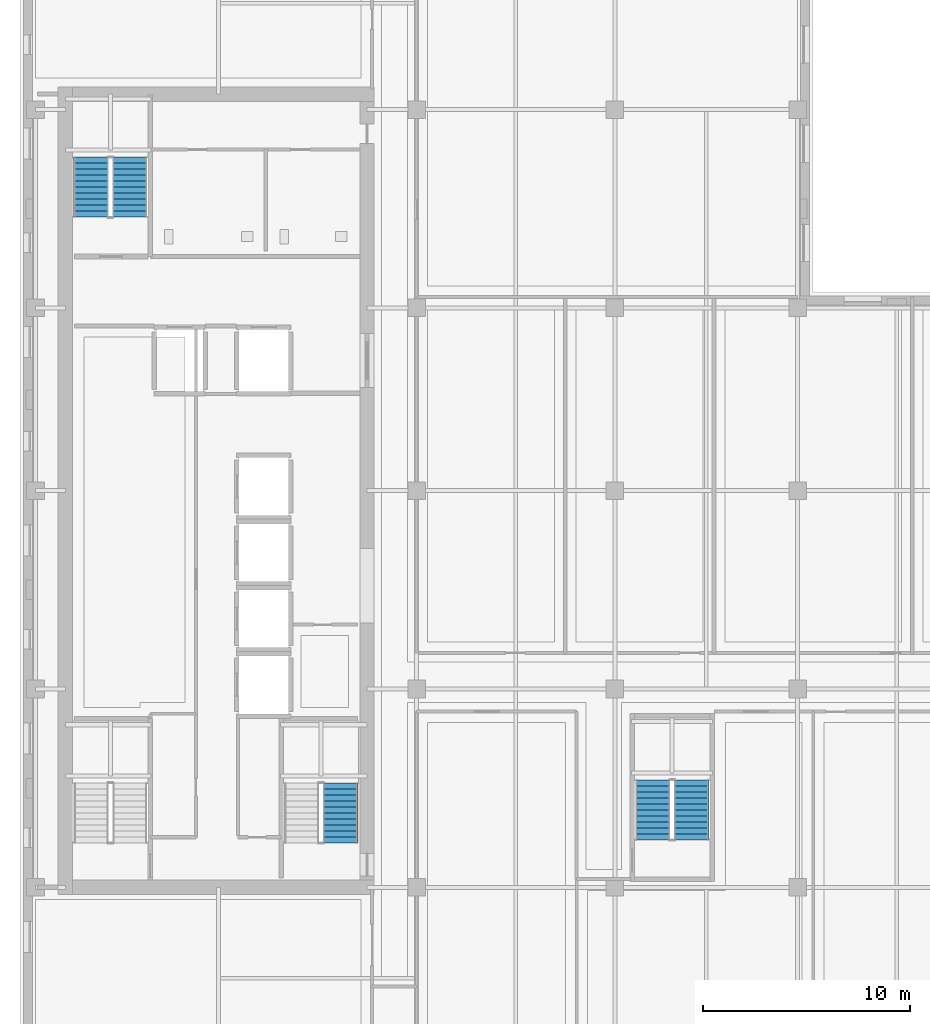
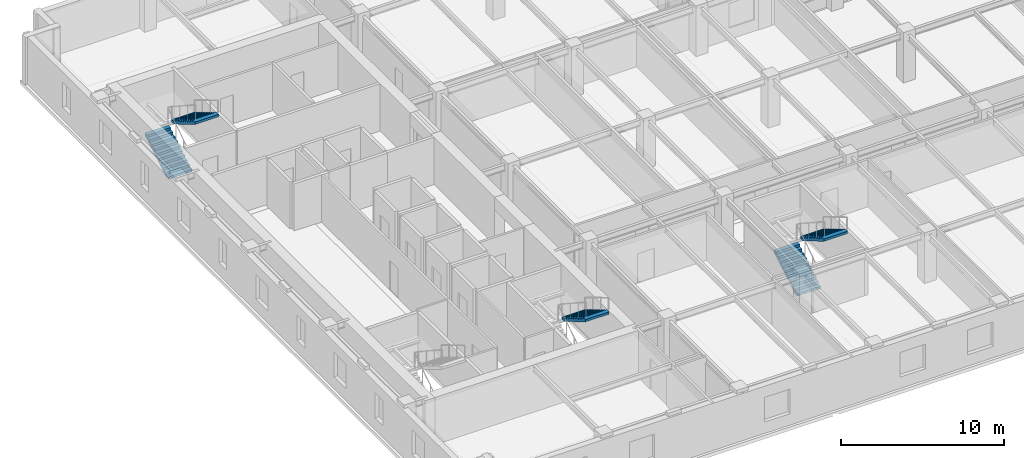
# One storey, part 7 of 11: 5 stair flights, 3 elements without a shape of their own.
"""IFC4 building model written with IfcOpenShell, lengths in metres."""

from ifc_helpers import new_model, si_unit, direction, frame, origin, place, context, subcontext, project, spatial, polyline, outline, extrude, material, type_object, element, aggregate, save


model = new_model("IFC4")

# Units and contexts
model_context = context("Model", 3, precision=1e-05, world=origin(), true_north=direction((0.0, 1.0)))
body_context = subcontext(model_context, "Body", "Model", "MODEL_VIEW")
ifc_project = project(units=[si_unit("LENGTHUNIT", "METRE"), si_unit("AREAUNIT", "SQUARE_METRE"), si_unit("VOLUMEUNIT", "CUBIC_METRE"), si_unit("PLANEANGLEUNIT", "RADIAN"), si_unit("MASSUNIT", "GRAM", prefix="KILO")], contexts=[model_context])

# Site, building, storey
site_placement = place(None, origin())
site = spatial("IfcSite", under=ifc_project, at=site_placement, CompositionType="ELEMENT")
building_placement = place(site_placement, origin())
building = spatial("IfcBuilding", under=site, at=building_placement, Name="Norrvale University Quadrangle", CompositionType="ELEMENT")
storey_placement = place(building_placement, frame((0.0, 0.0, 202.800048828125)))
storey = spatial("IfcBuildingStorey", under=building, at=storey_placement, Name="L51", CompositionType="ELEMENT", Elevation=202.800048828125)

# Stair, stair flights
ifc_material = material(Name="Concrete C40/50", Category="concrete")
stair_type = type_object("IfcStairType", Name="Stair Tower Typ 3800", PredefinedType="TWO_STRAIGHT_RUN_STAIR", material=ifc_material)
stair_1_placement = place(storey_placement, origin())
stair_1 = element("IfcStair", 1, at=stair_1_placement, inside=storey, type_object=stair_type, Name="Exit Stair ST-02 L51", PredefinedType="TWO_STRAIGHT_RUN_STAIR")
stair_flight_type = type_object("IfcStairFlightType", Name="Flight Typ 1500", PredefinedType="STRAIGHT", material=ifc_material)
stair_flight_1_placement = place(storey_placement, frame((3.429931640625, 42.050048828125, 0.0), z_axis=(0.0, 0.0, 1.0), x_axis=(0.0, 1.0, 0.0)))
stair_flight_1 = element("IfcStairFlight", 2, at=stair_flight_1_placement, type_object=stair_flight_type, Name="Exit Stair ST-02 L51 Lower Flight", NumberOfRisers=11, NumberOfTreads=10, PredefinedType="STRAIGHT", RiserHeight=0.172727, TreadLength=0.29, context=body_context, shape_type="SweptSolid", body=[
    extrude(outline(polyline([(0.0, 0.0), (0.0, 0.172607421875), (0.2900390625, 0.172607421875), (0.2900390625, 0.345458984375), (0.580078125, 0.345458984375), (0.580078125, 0.51806640625), (0.8701171875, 0.51806640625), (0.8701171875, 0.69091796875), (1.159912109375, 0.69091796875), (1.159912109375, 0.863525390625), (1.449951171875, 0.863525390625), (1.449951171875, 1.036376953125), (1.739990234375, 1.036376953125), (1.739990234375, 1.208984375), (2.030029296875, 1.208984375), (2.030029296875, 1.3818359375), (2.320068359375, 1.3818359375), (2.320068359375, 1.554443359375), (2.610107421875, 1.554443359375), (2.610107421875, 1.727294921875), (2.89990234375, 1.727294921875), (2.89990234375, 1.89990234375), (2.89990234375, 1.552734375), (0.29296875, 0.0), (0.0, 0.0)])), frame((0.0, 0.83984375, 0.0), z_axis=(0.0, -1.0, 0.0), x_axis=(1.0, 0.0, 0.0)), (0.0, 0.0, 1.0), 1.679931640625),
])
stair_flight_2_placement = place(storey_placement, frame((5.320068359375, 44.949951171875, 1.89990234375), z_axis=(0.0, 0.0, 1.0), x_axis=(0.0, -1.0, 0.0)))
stair_flight_2 = element("IfcStairFlight", 3, at=stair_flight_2_placement, type_object=stair_flight_type, Name="Exit Stair ST-02 L51 Upper Flight", NumberOfRisers=11, NumberOfTreads=10, PredefinedType="STRAIGHT", RiserHeight=0.172727, TreadLength=0.29, context=body_context, shape_type="SweptSolid", body=[
    extrude(outline(polyline([(0.0, 0.0), (0.0, 0.172607421875), (0.2900390625, 0.172607421875), (0.2900390625, 0.345458984375), (0.580078125, 0.345458984375), (0.580078125, 0.51806640625), (0.8701171875, 0.51806640625), (0.8701171875, 0.69091796875), (1.159912109375, 0.69091796875), (1.159912109375, 0.863525390625), (1.449951171875, 0.863525390625), (1.449951171875, 1.036376953125), (1.739990234375, 1.036376953125), (1.739990234375, 1.208984375), (2.030029296875, 1.208984375), (2.030029296875, 1.3818359375), (2.320068359375, 1.3818359375), (2.320068359375, 1.554443359375), (2.610107421875, 1.554443359375), (2.610107421875, 1.727294921875), (2.89990234375, 1.727294921875), (2.89990234375, 1.89990234375), (2.89990234375, 1.552734375), (0.29296875, 0.0), (0.0, 0.0)])), frame((0.0, 0.83984375, 0.0), z_axis=(0.0, -1.0, 0.0), x_axis=(1.0, 0.0, 0.0)), (0.0, 0.0, 1.0), 1.679931640625),
])
aggregate(stair_1, [stair_flight_1, stair_flight_2])

# Stair, stair flight
stair_2_placement = place(storey_placement, origin())
stair_2 = element("IfcStair", 4, at=stair_2_placement, inside=storey, type_object=stair_type, Name="Exit Stair ST-03 L51", PredefinedType="TWO_STRAIGHT_RUN_STAIR")
stair_flight_3_placement = place(storey_placement, frame((15.52001953125, 14.64990234375, 1.89990234375), z_axis=(0.0, 0.0, 1.0), x_axis=(0.0, -1.0, 0.0)))
stair_flight_3 = element("IfcStairFlight", 5, at=stair_flight_3_placement, type_object=stair_flight_type, Name="Exit Stair ST-03 L51 Upper Flight", NumberOfRisers=11, NumberOfTreads=10, PredefinedType="STRAIGHT", RiserHeight=0.172727, TreadLength=0.29, context=body_context, shape_type="SweptSolid", body=[
    extrude(outline(polyline([(0.0, 0.0), (0.0, 0.172607421875), (0.2900390625, 0.172607421875), (0.2900390625, 0.345458984375), (0.580078125, 0.345458984375), (0.580078125, 0.51806640625), (0.8701171875, 0.51806640625), (0.8701171875, 0.69091796875), (1.159912109375, 0.69091796875), (1.159912109375, 0.863525390625), (1.449951171875, 0.863525390625), (1.449951171875, 1.036376953125), (1.739990234375, 1.036376953125), (1.739990234375, 1.208984375), (2.030029296875, 1.208984375), (2.030029296875, 1.3818359375), (2.320068359375, 1.3818359375), (2.320068359375, 1.554443359375), (2.610107421875, 1.554443359375), (2.610107421875, 1.727294921875), (2.89990234375, 1.727294921875), (2.89990234375, 1.89990234375), (2.89990234375, 1.552734375), (0.29296875, 0.0), (0.0, 0.0)])), frame((0.0, 0.83984375, 0.0), z_axis=(0.0, -1.0, 0.0), x_axis=(1.0, 0.0, 0.0)), (0.0, 0.0, 1.0), 1.679931640625),
])
aggregate(stair_2, [stair_flight_3])

# Stair, stair flights
stair_3_placement = place(storey_placement, origin())
stair_3 = element("IfcStair", 6, at=stair_3_placement, inside=storey, type_object=stair_type, Name="Exit Stair ST-04 L51", PredefinedType="TWO_STRAIGHT_RUN_STAIR")
stair_flight_4_placement = place(storey_placement, frame((30.6298828125, 11.89990234375, 0.0), z_axis=(0.0, 0.0, 1.0), x_axis=(0.0, 1.0, 0.0)))
stair_flight_4 = element("IfcStairFlight", 7, at=stair_flight_4_placement, type_object=stair_flight_type, Name="Exit Stair ST-04 L51 Lower Flight", NumberOfRisers=11, NumberOfTreads=10, PredefinedType="STRAIGHT", RiserHeight=0.172727, TreadLength=0.29, context=body_context, shape_type="SweptSolid", body=[
    extrude(outline(polyline([(0.0, 0.0), (0.0, 0.172607421875), (0.2900390625, 0.172607421875), (0.2900390625, 0.345458984375), (0.580078125, 0.345458984375), (0.580078125, 0.51806640625), (0.8701171875, 0.51806640625), (0.8701171875, 0.69091796875), (1.159912109375, 0.69091796875), (1.159912109375, 0.863525390625), (1.449951171875, 0.863525390625), (1.449951171875, 1.036376953125), (1.739990234375, 1.036376953125), (1.739990234375, 1.208984375), (2.030029296875, 1.208984375), (2.030029296875, 1.3818359375), (2.320068359375, 1.3818359375), (2.320068359375, 1.554443359375), (2.610107421875, 1.554443359375), (2.610107421875, 1.727294921875), (2.89990234375, 1.727294921875), (2.89990234375, 1.89990234375), (2.89990234375, 1.552734375), (0.29296875, 0.0), (0.0, 0.0)])), frame((0.0, 0.83984375, 0.0), z_axis=(0.0, -1.0, 0.0), x_axis=(1.0, 0.0, 0.0)), (0.0, 0.0, 1.0), 1.679931640625),
])
stair_flight_5_placement = place(storey_placement, frame((32.52001953125, 14.800048828125, 1.89990234375), z_axis=(0.0, 0.0, 1.0), x_axis=(0.0, -1.0, 0.0)))
stair_flight_5 = element("IfcStairFlight", 8, at=stair_flight_5_placement, type_object=stair_flight_type, Name="Exit Stair ST-04 L51 Upper Flight", NumberOfRisers=11, NumberOfTreads=10, PredefinedType="STRAIGHT", RiserHeight=0.172727, TreadLength=0.29, context=body_context, shape_type="SweptSolid", body=[
    extrude(outline(polyline([(0.0, 0.0), (0.0, 0.172607421875), (0.2900390625, 0.172607421875), (0.2900390625, 0.345458984375), (0.580078125, 0.345458984375), (0.580078125, 0.51806640625), (0.8701171875, 0.51806640625), (0.8701171875, 0.69091796875), (1.159912109375, 0.69091796875), (1.159912109375, 0.863525390625), (1.449951171875, 0.863525390625), (1.449951171875, 1.036376953125), (1.739990234375, 1.036376953125), (1.739990234375, 1.208984375), (2.030029296875, 1.208984375), (2.030029296875, 1.3818359375), (2.320068359375, 1.3818359375), (2.320068359375, 1.554443359375), (2.610107421875, 1.554443359375), (2.610107421875, 1.727294921875), (2.89990234375, 1.727294921875), (2.89990234375, 1.89990234375), (2.89990234375, 1.552734375), (0.29296875, 0.0), (0.0, 0.0)])), frame((0.0, 0.83984375, 0.0), z_axis=(0.0, -1.0, 0.0), x_axis=(1.0, 0.0, 0.0)), (0.0, 0.0, 1.0), 1.679931640625),
])
aggregate(stair_3, [stair_flight_4, stair_flight_5])

save(model, "model.ifc")
